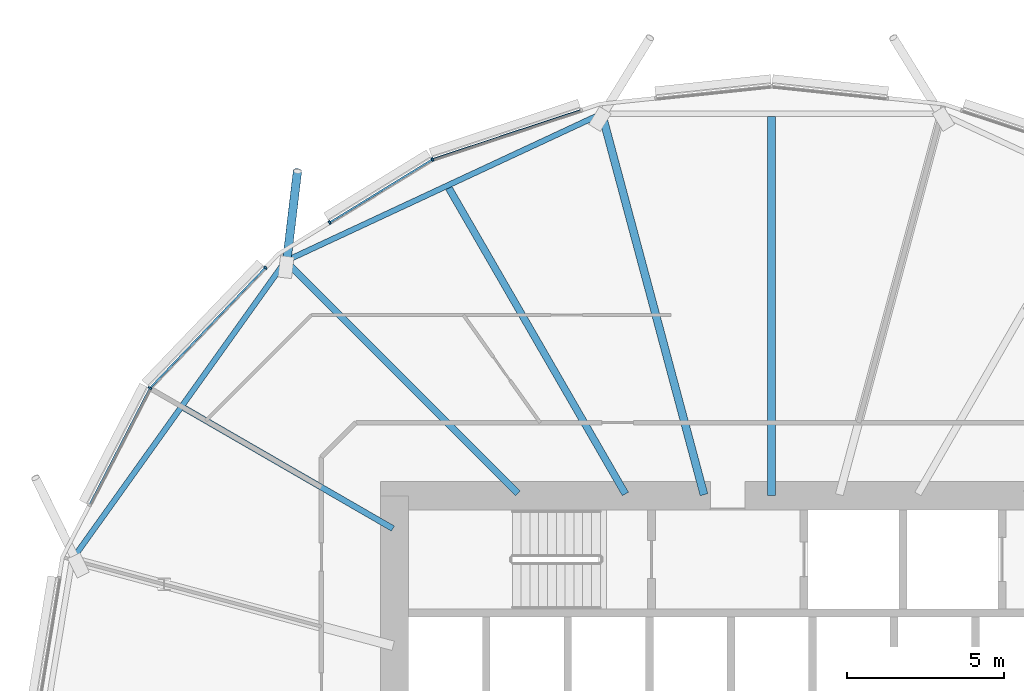
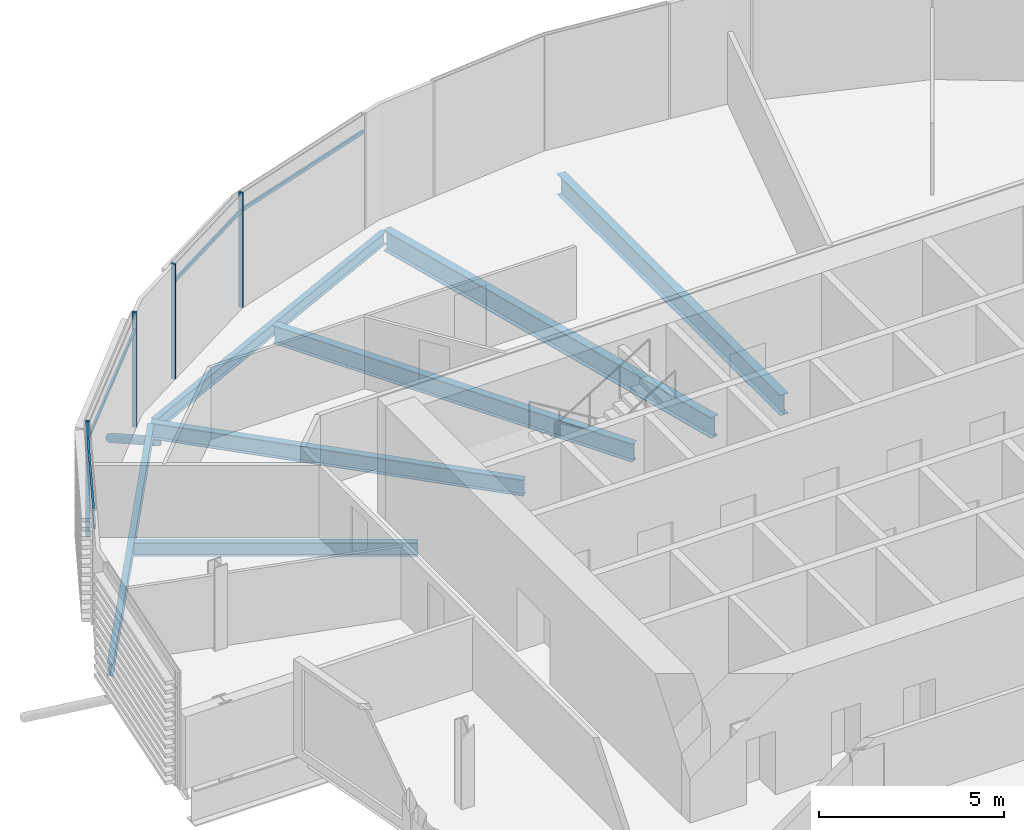
# One storey, part 8 of 38: 9 members, 7 beams, 1 element without a shape of its own.
"""IFC4 building model written with IfcOpenShell, lengths in metres."""

from ifc_helpers import new_model, si_unit, direction, frame, origin, origin_2d, place, context, subcontext, project, spatial, rectangle, hollow_circle, i_section, extrude, clip, halfspace, material, material_profile, profile_set, type_object, element, aggregate, save


model = new_model("IFC4")

# Units and contexts
model_context = context("Model", 3, precision=1e-05, world=origin(), true_north=direction((0.0, 1.0)))
body_context = subcontext(model_context, "Body", "Model", "MODEL_VIEW")
ifc_project = project(units=[si_unit("LENGTHUNIT", "METRE"), si_unit("AREAUNIT", "SQUARE_METRE"), si_unit("VOLUMEUNIT", "CUBIC_METRE"), si_unit("PLANEANGLEUNIT", "RADIAN"), si_unit("MASSUNIT", "GRAM", prefix="KILO")], contexts=[model_context])

# Site, building, storey
site_placement = place(None, origin())
site = spatial("IfcSite", under=ifc_project, at=site_placement, CompositionType="ELEMENT")
building_placement = place(site_placement, origin())
building = spatial("IfcBuilding", under=site, at=building_placement, Name="Rimbun Link Towers", CompositionType="ELEMENT")
storey_placement = place(building_placement, frame((0.0, 0.0, 71.800048828125)))
storey = spatial("IfcBuildingStorey", under=building, at=storey_placement, Name="L17", CompositionType="ELEMENT", Elevation=71.800048828125)

# Curtain wall, members
ifc_material_1 = material(Name="Aluminium 6063-T6 and low-iron glass", Category="aluminium")
curtain_wall_type = type_object("IfcCurtainWallType", Name="CW1 unitised vision wall", PredefinedType="NOTDEFINED", material=ifc_material_1)
curtain_wall_placement = place(storey_placement, origin())
curtain_wall = element("IfcCurtainWall", 1, at=curtain_wall_placement, inside=storey, type_object=curtain_wall_type, Name="CW1 L17 T1", PredefinedType="NOTDEFINED")
ifc_material_2 = material(Name="Aluminium 6063-T6", Category="aluminium")
ifc_material_profile_1 = material_profile(ifc_material_2, rectangle(XDim=0.1201171875, YDim=0.06005859375, at=origin_2d()), Name="MULLION 60X120")
ifc_profile_set_1 = profile_set([ifc_material_profile_1], Name="Aluminium 6063-T6")
member_type_1 = type_object("IfcMemberType", Name="CW1 mullion 60X120", PredefinedType="MULLION", material=ifc_profile_set_1)
member_1_placement = place(storey_placement, frame((-42.540283203125, 18.699951171875, 0.0), z_axis=(0.0, 0.0, 1.0), x_axis=(-0.421698890318, 0.906735929532, 0.0)))
member_1 = element("IfcMember", 2, at=member_1_placement, type_object=member_type_1, Name="CW1 mullion", PredefinedType="MULLION", context=body_context, shape_type="SweptSolid", body=[
    extrude(rectangle(XDim=0.1201171875, YDim=0.06005859375, at=origin_2d()), origin(), (0.0, 0.0, 1.0), 3.800048828125),
])
member_2_placement = place(storey_placement, frame((-45.809814453125, 16.69287109375, 0.0), z_axis=(0.0, 0.0, 1.0), x_axis=(-0.523239240316, 0.852185835011, 0.0)))
member_2 = element("IfcMember", 3, at=member_2_placement, type_object=member_type_1, Name="CW1 mullion", PredefinedType="MULLION", context=body_context, shape_type="SweptSolid", body=[
    extrude(rectangle(XDim=0.1201171875, YDim=0.06005859375, at=origin_2d()), origin(), (0.0, 0.0, 1.0), 3.800048828125),
])
member_3_placement = place(storey_placement, frame((-51.527587890625, 11.42529296875, 0.0), z_axis=(0.0, 0.0, 1.0), x_axis=(-0.813351214919, 0.581772980801, 0.0)))
member_3 = element("IfcMember", 4, at=member_3_placement, type_object=member_type_1, Name="CW1 mullion", PredefinedType="MULLION", context=body_context, shape_type="SweptSolid", body=[
    extrude(rectangle(XDim=0.1201171875, YDim=0.06005859375, at=origin_2d()), origin(), (0.0, 0.0, 1.0), 3.800048828125),
])
member_4_placement = place(storey_placement, frame((-47.856201171875, 15.256103515625, 0.0), z_axis=(0.0, 0.0, 1.0), x_axis=(-0.721854427226, 0.692044930546, 0.0)))
member_4 = element("IfcMember", 5, at=member_4_placement, type_object=member_type_1, Name="CW1 mullion", PredefinedType="MULLION", context=body_context, shape_type="SweptSolid", body=[
    extrude(rectangle(XDim=0.1201171875, YDim=0.06005859375, at=origin_2d()), origin(), (0.0, 0.0, 1.0), 3.800048828125),
])
ifc_material_3 = material(Name="Aluminium 6063-T6", Category="aluminium")
ifc_material_profile_2 = material_profile(ifc_material_3, rectangle(XDim=0.06005859375, YDim=0.1201171875, at=origin_2d()), Name="TRANSOM 60X120")
ifc_profile_set_2 = profile_set([ifc_material_profile_2], Name="Aluminium 6063-T6")
member_type_2 = type_object("IfcMemberType", Name="CW1 transom 60X120", PredefinedType="USERDEFINED", material=ifc_profile_set_2)
member_5_placement = place(storey_placement, frame((-42.5048828125, 18.7099609375, 3.199951171875), z_axis=(0.949232441731, 0.314575541906, 0.0), x_axis=(-0.314575541906, 0.949232441731, 0.0)))
member_5 = element("IfcMember", 6, at=member_5_placement, type_object=member_type_2, Name="CW1 transom", ObjectType="TRANSOM", PredefinedType="USERDEFINED", context=body_context, shape_type="SweptSolid", body=[
    extrude(rectangle(XDim=0.06005859375, YDim=0.1201171875, at=origin_2d()), origin(), (0.0, 0.0, 1.0), 4.921875),
])
member_6_placement = place(storey_placement, frame((-45.783203125, 16.706787109375, 3.199951171875), z_axis=(0.852184905229, 0.523240754624, 0.0), x_axis=(-0.523240754624, 0.852184905229, 0.0)))
member_6 = element("IfcMember", 7, at=member_6_placement, type_object=member_type_2, Name="CW1 transom", ObjectType="TRANSOM", PredefinedType="USERDEFINED", context=body_context, shape_type="SweptSolid", body=[
    extrude(rectangle(XDim=0.06005859375, YDim=0.1201171875, at=origin_2d()), origin(), (0.0, 0.0, 1.0), 3.76953125),
])
member_7_placement = place(storey_placement, frame((-51.5, 11.452392578125, 3.199951171875), z_axis=(0.692056205714, 0.721843617505, 0.0), x_axis=(-0.721843617505, 0.692056205714, 0.0)))
member_7 = element("IfcMember", 8, at=member_7_placement, type_object=member_type_2, Name="CW1 transom", ObjectType="TRANSOM", PredefinedType="USERDEFINED", context=body_context, shape_type="SweptSolid", body=[
    extrude(rectangle(XDim=0.06005859375, YDim=0.1201171875, at=origin_2d()), origin(), (0.0, 0.0, 1.0), 5.2373046875),
])
member_8_placement = place(storey_placement, frame((-53.4404296875, 7.72607421875, 3.199951171875), z_axis=(0.459572613306, 0.888140199011, 0.0), x_axis=(-0.888140199011, 0.459572613306, 0.0)))
member_8 = element("IfcMember", 9, at=member_8_placement, type_object=member_type_2, Name="CW1 transom", ObjectType="TRANSOM", PredefinedType="USERDEFINED", context=body_context, shape_type="SweptSolid", body=[
    extrude(rectangle(XDim=0.06005859375, YDim=0.1201171875, at=origin_2d()), origin(), (0.0, 0.0, 1.0), 4.1259765625),
])
aggregate(curtain_wall, [member_1, member_2, member_3, member_4, member_5, member_6, member_7, member_8])

# Member
ifc_material_4 = material(Name="Steel S355J2H", Category="steel")
ifc_material_profile_3 = material_profile(ifc_material_4, hollow_circle(Radius=0.136474609375, WallThickness=0.012451171875, at=origin_2d()), Name="CHS 273x12.5")
ifc_profile_set_3 = profile_set([ifc_material_profile_3], Name="Steel S355J2H")
member_type_3 = type_object("IfcMemberType", Name="Floor edge link CHS 273x12.5", PredefinedType="BRACE", material=ifc_profile_set_3)
member_9_placement = place(storey_placement, frame((-47.180419921875, 15.430419921875, -0.809814453125), z_axis=(0.100911375777, 0.847741014291, -0.520722639154), x_axis=(-0.992989672948, 0.118201139665, 0.0)))
element("IfcMember", 10, at=member_9_placement, inside=storey, type_object=member_type_3, Name="Floor edge link T1 L17 09", PredefinedType="BRACE", context=body_context, shape_type="Clipping", body=[
    clip(extrude(hollow_circle(Radius=0.136474609375, WallThickness=0.012451171875, at=origin_2d()), frame((0.0, 0.0, -0.466796875)), (0.0, 0.0, 1.0), 3.89501953125), halfspace(frame((0.0, 0.0, -0.22021484375), z_axis=(0.0, 0.853725912147, -0.520722639154)), False)),
])

# Beams
ifc_material_5 = material(Name="Steel S355J2", Category="steel")
ifc_material_profile_4 = material_profile(ifc_material_5, i_section(OverallWidth=0.177978515625, OverallDepth=0.406494140625, WebThickness=0.0078125, FlangeThickness=0.0126953125, at=origin_2d()), Name="UB 406x178x60")
ifc_profile_set_4 = profile_set([ifc_material_profile_4], Name="Steel S355J2")
beam_type_1 = type_object("IfcBeamType", Name="UB 406x178x60", PredefinedType="BEAM", material=ifc_profile_set_4)
beam_1_placement = place(storey_placement, frame((-37.268798828125, 20.10205078125, -0.36328125), z_axis=(-0.906379422837, -0.422464604266, 0.0), x_axis=(0.422464604266, -0.906379422837, 0.0)))
element("IfcBeam", 11, at=beam_1_placement, inside=storey, type_object=beam_type_1, Name="Edge beam T1 L17 07-09", PredefinedType="BEAM", context=body_context, shape_type="SweptSolid", body=[
    extrude(i_section(OverallWidth=0.177978515625, OverallDepth=0.406494140625, WebThickness=0.0078125, FlangeThickness=0.0126953125, at=origin_2d()), origin(), (0.0, 0.0, 1.0), 10.862060546875),
])
beam_2_placement = place(storey_placement, frame((-47.278076171875, 15.378662109375, -0.36328125), z_axis=(-0.581369775977, -0.813639467811, 0.0), x_axis=(0.813639467811, -0.581369775977, 0.0)))
element("IfcBeam", 12, at=beam_2_placement, inside=storey, type_object=beam_type_1, Name="Edge beam T1 L17 09-11", PredefinedType="BEAM", context=body_context, shape_type="SweptSolid", body=[
    extrude(i_section(OverallWidth=0.177978515625, OverallDepth=0.406494140625, WebThickness=0.0078125, FlangeThickness=0.0126953125, at=origin_2d()), origin(), (0.0, 0.0, 1.0), 11.40771484375),
])
ifc_material_6 = material(Name="Steel S355J2", Category="steel")
ifc_material_profile_5 = material_profile(ifc_material_6, i_section(OverallWidth=0.18994140625, OverallDepth=0.453369140625, WebThickness=0.008544921875, FlangeThickness=0.0126953125, at=origin_2d()), Name="UB 457x191x67")
ifc_profile_set_5 = profile_set([ifc_material_profile_5], Name="Steel S355J2")
beam_type_2 = type_object("IfcBeamType", Name="UB 457x191x67", PredefinedType="BEAM", material=ifc_profile_set_5)
beam_3_placement = place(storey_placement, frame((-43.79833984375, 6.9560546875, -0.38671875), z_axis=(-0.866012339475, 0.500022627366, 0.0), x_axis=(-0.500022627366, -0.866012339475, 0.0)))
element("IfcBeam", 13, at=beam_3_placement, inside=storey, type_object=beam_type_2, Name="Radial beam T1 L17 10", PredefinedType="BEAM", context=body_context, shape_type="SweptSolid", body=[
    extrude(i_section(OverallWidth=0.18994140625, OverallDepth=0.453369140625, WebThickness=0.008544921875, FlangeThickness=0.0126953125, at=origin_2d()), origin(), (0.0, 0.0, 1.0), 7.674072265625),
])
ifc_material_7 = material(Name="Steel S355J2", Category="steel")
ifc_material_profile_6 = material_profile(ifc_material_7, i_section(OverallWidth=0.209228515625, OverallDepth=0.533203125, WebThickness=0.010009765625, FlangeThickness=0.015625, at=origin_2d()), Name="UB 533x210x92")
ifc_profile_set_6 = profile_set([ifc_material_profile_6], Name="Steel S355J2")
beam_type_3 = type_object("IfcBeamType", Name="UB 533x210x92", PredefinedType="BEAM", material=ifc_profile_set_6)
beam_4_placement = place(storey_placement, frame((-39.82470703125, 8.07470703125, -0.426513671875), z_axis=(-0.707106781187, 0.707106781187, 0.0), x_axis=(-0.707106781187, -0.707106781187, 0.0)))
element("IfcBeam", 14, at=beam_4_placement, inside=storey, type_object=beam_type_3, Name="Radial beam T1 L17 09", PredefinedType="BEAM", context=body_context, shape_type="SweptSolid", body=[
    extrude(i_section(OverallWidth=0.209228515625, OverallDepth=0.533203125, WebThickness=0.010009765625, FlangeThickness=0.015625, at=origin_2d()), origin(), (0.0, 0.0, 1.0), 10.45263671875),
])
ifc_material_8 = material(Name="Steel S355J2", Category="steel")
ifc_material_profile_7 = material_profile(ifc_material_8, i_section(OverallWidth=0.2275390625, OverallDepth=0.6025390625, WebThickness=0.010498046875, FlangeThickness=0.014892578125, at=origin_2d()), Name="UB 610x229x101")
ifc_profile_set_7 = profile_set([ifc_material_profile_7], Name="Steel S355J2")
beam_type_4 = type_object("IfcBeamType", Name="UB 610x229x101", PredefinedType="BEAM", material=ifc_profile_set_7)
beam_5_placement = place(storey_placement, frame((-36.402099609375, 8.057861328125, -0.46142578125), z_axis=(-0.50001148964, 0.866018770136, 0.0), x_axis=(-0.866018770136, -0.50001148964, 0.0)))
element("IfcBeam", 15, at=beam_5_placement, inside=storey, type_object=beam_type_4, Name="Radial beam T1 L17 08", PredefinedType="BEAM", context=body_context, shape_type="SweptSolid", body=[
    extrude(i_section(OverallWidth=0.2275390625, OverallDepth=0.6025390625, WebThickness=0.010498046875, FlangeThickness=0.014892578125, at=origin_2d()), origin(), (0.0, 0.0, 1.0), 11.235595703125),
])
ifc_material_9 = material(Name="Steel S355J2", Category="steel")
ifc_material_profile_8 = material_profile(ifc_material_9, i_section(OverallWidth=0.253662109375, OverallDepth=0.68359375, WebThickness=0.012451171875, FlangeThickness=0.01904296875, at=origin_2d()), Name="UB 686x254x140")
ifc_profile_set_8 = profile_set([ifc_material_profile_8], Name="Steel S355J2")
beam_type_5 = type_object("IfcBeamType", Name="UB 686x254x140", PredefinedType="BEAM", material=ifc_profile_set_8)
beam_6_placement = place(storey_placement, frame((-31.75, 8.0009765625, -0.501953125), z_axis=(0.0, 1.0, 0.0), x_axis=(-1.0, 0.0, 0.0)))
element("IfcBeam", 16, at=beam_6_placement, inside=storey, type_object=beam_type_5, Name="Radial beam T1 L17 06", PredefinedType="BEAM", context=body_context, shape_type="SweptSolid", body=[
    extrude(i_section(OverallWidth=0.253662109375, OverallDepth=0.68359375, WebThickness=0.012451171875, FlangeThickness=0.01904296875, at=origin_2d()), origin(), (0.0, 0.0, 1.0), 12.06591796875),
])
beam_7_placement = place(storey_placement, frame((-33.902587890625, 8.03369140625, -0.501953125), z_axis=(-0.258813870741, 0.96592721274, 0.0), x_axis=(-0.96592721274, -0.258813870741, 0.0)))
element("IfcBeam", 17, at=beam_7_placement, inside=storey, type_object=beam_type_5, Name="Radial beam T1 L17 07", PredefinedType="BEAM", context=body_context, shape_type="SweptSolid", body=[
    extrude(i_section(OverallWidth=0.253662109375, OverallDepth=0.68359375, WebThickness=0.012451171875, FlangeThickness=0.01904296875, at=origin_2d()), origin(), (0.0, 0.0, 1.0), 12.55078125),
])

save(model, "model.ifc")
